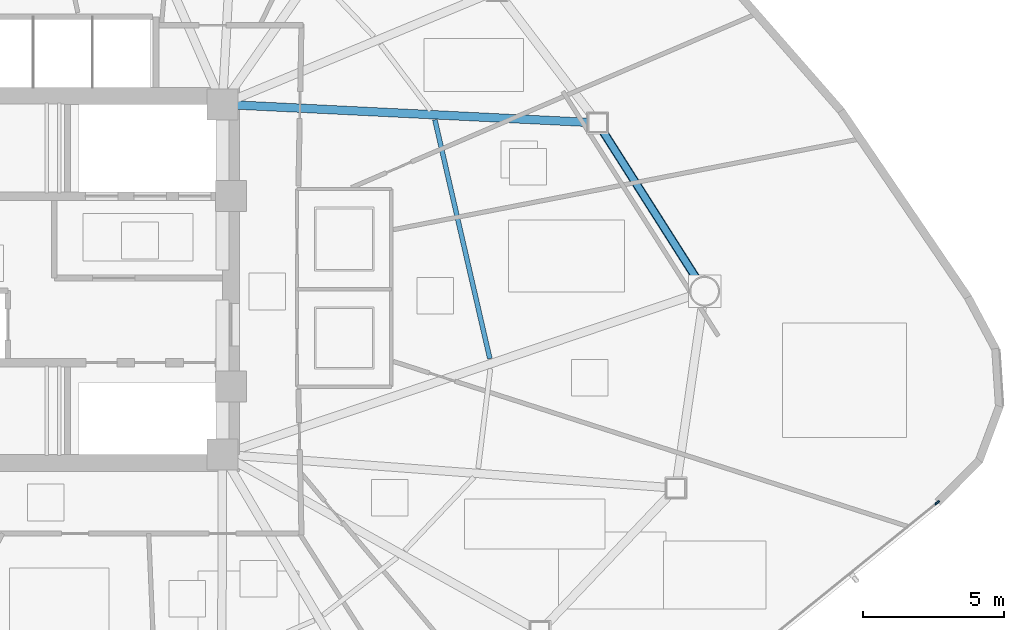
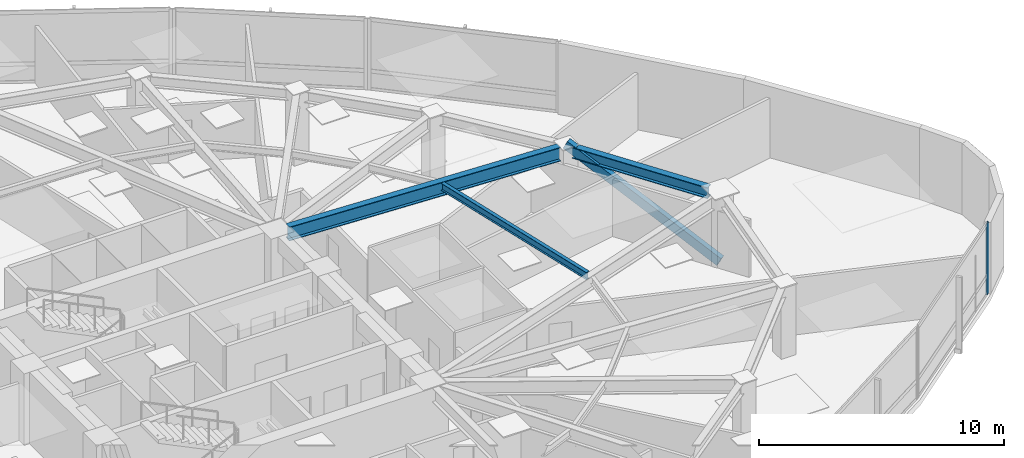
# One storey, part 6 of 17: 3 beams, 2 members, 1 element without a shape of its own.
"""IFC4 building model written with IfcOpenShell, lengths in metres."""

from ifc_helpers import new_model, si_unit, direction, frame, origin, origin_2d, place, context, subcontext, project, spatial, hollow_rectangle, i_section, extrude, source, transform, mapped, material, layer, layer_set, material_profile, profile_set, type_object, type_shapes, element, aggregate, save


model = new_model("IFC4")

# Units and contexts
model_context = context("Model", 3, precision=1e-05, world=origin(), true_north=direction((0.0, 1.0)))
body_context = subcontext(model_context, "Body", "Model", "MODEL_VIEW")
ifc_project = project(units=[si_unit("LENGTHUNIT", "METRE"), si_unit("AREAUNIT", "SQUARE_METRE"), si_unit("VOLUMEUNIT", "CUBIC_METRE"), si_unit("PLANEANGLEUNIT", "RADIAN"), si_unit("MASSUNIT", "GRAM", prefix="KILO")], contexts=[model_context])

# Site, building, storey
site_placement = place(None, origin())
site = spatial("IfcSite", under=ifc_project, at=site_placement, CompositionType="ELEMENT")
building_placement = place(site_placement, origin())
building = spatial("IfcBuilding", under=site, at=building_placement, Name="Tavelor Broadcast Tower", CompositionType="ELEMENT")
storey_placement = place(building_placement, frame((0.0, 0.0, 123.300048828125)))
storey = spatial("IfcBuildingStorey", under=building, at=storey_placement, Name="L28", CompositionType="ELEMENT", Elevation=123.300048828125)

# Beams
ifc_material_1 = material(Name="Steel S355", Category="steel")
ifc_material_profile_1 = material_profile(ifc_material_1, i_section(OverallWidth=0.169921875, OverallDepth=0.360107421875, WebThickness=0.008056640625, FlangeThickness=0.0126953125, at=origin_2d()), Name="IPE 360")
ifc_profile_set_1 = profile_set([ifc_material_profile_1], Name="Steel S355")
beam_type_1 = type_object("IfcBeamType", Name="Composite Floor Joist T3 IPE 360", PredefinedType="JOIST", material=ifc_profile_set_1)
beam_1_placement = place(storey_placement, frame((66.0703125, 42.1953125, 3.369873046875), z_axis=(-0.224119909946, 0.974561576282, 0.0), x_axis=(-0.974561576282, -0.224119909946, 0.0)))
element("IfcBeam", 1, at=beam_1_placement, inside=storey, type_object=beam_type_1, Name="L28 Secondary Composite Floor Joist 13", PredefinedType="JOIST", context=body_context, shape_type="SweptSolid", body=[
    extrude(i_section(OverallWidth=0.169921875, OverallDepth=0.360107421875, WebThickness=0.008056640625, FlangeThickness=0.0126953125, at=origin_2d()), origin(), (0.0, 0.0, 1.0), 8.6796875),
])
ifc_material_profile_2 = material_profile(ifc_material_1, i_section(OverallWidth=0.300048828125, OverallDepth=0.550048828125, WebThickness=0.014892578125, FlangeThickness=0.029052734375, at=origin_2d()), Name="HEB 550")
ifc_profile_set_2 = profile_set([ifc_material_profile_2], Name="Steel S355")
beam_type_2 = type_object("IfcBeamType", Name="Perimeter Spandrel Beam T3 HEB 550", PredefinedType="SPANDREL", material=ifc_profile_set_2)
beam_2_placement = place(storey_placement, frame((73.4013671875, 45.01171875, 3.27490234375), z_axis=(-0.536283466807, 0.844037939449, 0.0), x_axis=(-0.844037939449, -0.536283466807, 0.0)))
element("IfcBeam", 2, at=beam_2_placement, inside=storey, type_object=beam_type_2, Name="L28 Framed-Tube Ring Spandrel 13", PredefinedType="SPANDREL", context=body_context, shape_type="SweptSolid", body=[
    extrude(i_section(OverallWidth=0.300048828125, OverallDepth=0.550048828125, WebThickness=0.014892578125, FlangeThickness=0.029052734375, at=origin_2d()), origin(), (0.0, 0.0, 1.0), 6.21875),
])

# Member
ifc_material_profile_3 = material_profile(ifc_material_1, hollow_rectangle(XDim=0.25, YDim=0.449951171875, WallThickness=0.02001953125, at=origin_2d()), Name="RHS 450x250x20")
ifc_profile_set_3 = profile_set([ifc_material_profile_3], Name="Steel S355")
member_type_1 = type_object("IfcMemberType", Name="Perimeter Tube Brace T3 RHS 450x250x20", PredefinedType="BRACE", material=ifc_profile_set_3)
member_1_placement = place(storey_placement, frame((73.676025390625, 44.57958984375, 0.0), z_axis=(-0.479238755177, 0.754205232397, 0.448892729904), x_axis=(-0.844021198089, -0.536309814544, 0.0)))
element("IfcMember", 3, at=member_1_placement, inside=storey, type_object=member_type_1, Name="L28 Corner Tube Diagonal Brace 3", PredefinedType="BRACE", context=body_context, shape_type="SweptSolid", body=[
    extrude(hollow_rectangle(XDim=0.25, YDim=0.449951171875, WallThickness=0.02001953125, at=origin_2d()), origin(), (0.0, 0.0, 1.0), 7.908447265625),
])

# Beam
ifc_material_profile_4 = material_profile(ifc_material_1, i_section(OverallWidth=0.300048828125, OverallDepth=0.68994140625, WebThickness=0.014404296875, FlangeThickness=0.027099609375, at=origin_2d()), Name="HEA 700")
ifc_profile_set_4 = profile_set([ifc_material_profile_4], Name="Steel S355")
beam_type_3 = type_object("IfcBeamType", Name="Radial Floor Girder T3 HEA 700", PredefinedType="BEAM", material=ifc_profile_set_4)
beam_3_placement = place(storey_placement, frame((57.12744140625, 51.174072265625, 3.204833984375), z_axis=(0.998783710906, -0.04930617435, 0.0), x_axis=(0.04930617435, 0.998783710906, 0.0)))
element("IfcBeam", 4, at=beam_3_placement, inside=storey, type_object=beam_type_3, Name="L28 Radial Primary Floor Girder 14", PredefinedType="BEAM", context=body_context, shape_type="SweptSolid", body=[
    extrude(i_section(OverallWidth=0.300048828125, OverallDepth=0.68994140625, WebThickness=0.014404296875, FlangeThickness=0.027099609375, at=origin_2d()), origin(), (0.0, 0.0, 1.0), 12.438232421875),
])

# Curtain wall, member
ifc_material_2 = material(Name="Architectural Anodized Aluminium", Category="aluminium")
ifc_layer = layer(ifc_material_2, 0.18994140625)
ifc_layer_set = layer_set([ifc_layer], Name="Architectural Anodized Aluminium")
curtain_wall_type = type_object("IfcCurtainWallType", Name="Tower Mid-Zone Acoustic Curtain Wall CW03", PredefinedType="NOTDEFINED", material=ifc_layer_set)
curtain_wall_placement = place(storey_placement, origin())
curtain_wall = element("IfcCurtainWall", 5, at=curtain_wall_placement, inside=storey, type_object=curtain_wall_type, Name="L28 Curtain Wall CW03 Run 284", PredefinedType="NOTDEFINED")
ifc_material_profile_5 = material_profile(ifc_material_2, hollow_rectangle(XDim=0.068115234375, YDim=0.18994140625, WallThickness=0.02197265625, at=origin_2d()), Name="RHS 68x190x22")
ifc_profile_set_5 = profile_set([ifc_material_profile_5], Name="Architectural Anodized Aluminium")
member_type_2 = type_object("IfcMemberType", Name="CW03 Extruded Aluminium Mullion 68x190", PredefinedType="MULLION", material=ifc_profile_set_5)
shared_shape = source(origin(), body_context, "Body", "SweptSolid", [
    extrude(hollow_rectangle(XDim=0.068115234375, YDim=0.18994140625, WallThickness=0.02197265625, at=origin_2d()), origin(), (0.0, 0.0, 1.0), 3.550048828125),
])
type_shapes(member_type_2, [shared_shape])
member_2_placement = place(storey_placement, frame((81.916748046875, 37.095703125, 0.0), z_axis=(0.0, 0.0, 1.0), x_axis=(-0.628995795399, 0.77740870163, 0.0)))
member_2 = element("IfcMember", 6, at=member_2_placement, type_object=member_type_2, Name="CW03 mullion 2", PredefinedType="MULLION", context=body_context, shape_type="MappedRepresentation", body=[
    mapped(shared_shape, transform((0.0, 0.0, 0.0), scale=1.0)),
])
aggregate(curtain_wall, [member_2])

save(model, "model.ifc")
